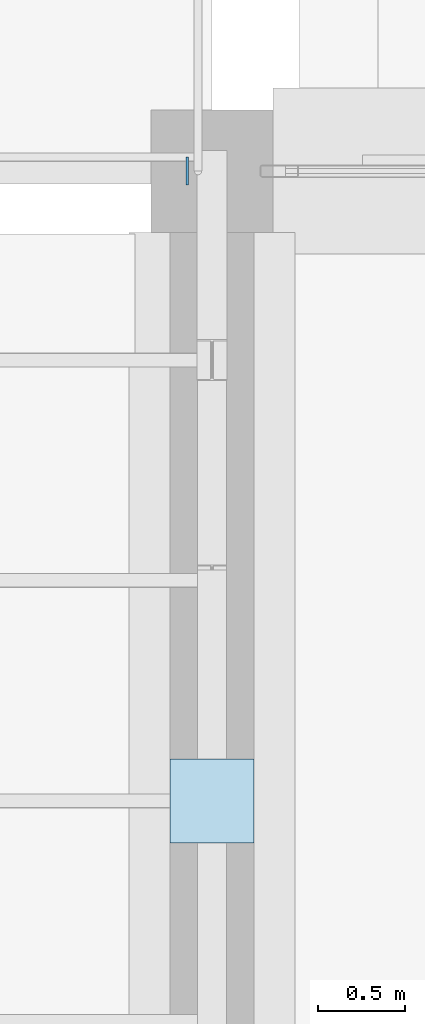
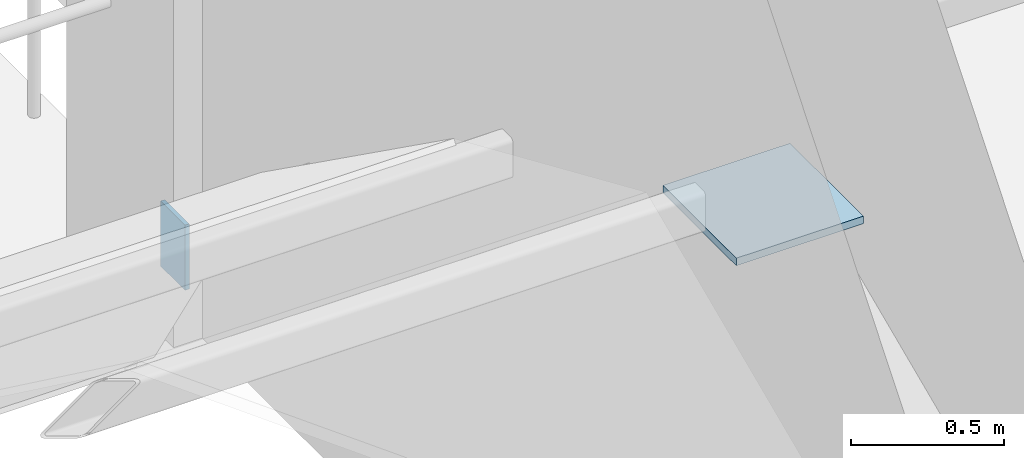
# One storey, part 51 of 100: 2 plates.
"""IFC4 building model written with IfcOpenShell, lengths in metres."""

from ifc_helpers import new_model, si_unit, derived_unit, direction, frame, origin, origin_2d, place, context, subcontext, project, spatial, rectangle, extrude, material, layer, layer_set, type_object, element, save


model = new_model("IFC4")

# Units and contexts
model_context = context("Model", 3, precision=1e-05, world=origin(), true_north=direction((0.0, 1.0)))
body_context = subcontext(model_context, "Body", "Model", "MODEL_VIEW")
ifc_project = project(units=[si_unit("LENGTHUNIT", "METRE"), si_unit("AREAUNIT", "SQUARE_METRE"), si_unit("VOLUMEUNIT", "CUBIC_METRE"), si_unit("PLANEANGLEUNIT", "RADIAN"), si_unit("MASSUNIT", "GRAM", prefix="KILO"), derived_unit("THERMALTRANSMITTANCEUNIT", [(si_unit("POWERUNIT", "WATT"), 1), (si_unit("LENGTHUNIT", "METRE"), -2), (si_unit("THERMODYNAMICTEMPERATUREUNIT", "KELVIN"), -1)])], contexts=[model_context])

# Site, building, storey
site_placement = place(None, origin())
site = spatial("IfcSite", under=ifc_project, at=site_placement, CompositionType="ELEMENT")
building_placement = place(site_placement, origin())
building = spatial("IfcBuilding", under=site, at=building_placement, Name="Veybourne Emporium", CompositionType="ELEMENT")
storey_placement = place(building_placement, frame((0.0, 0.0, 14.39990234375)))
storey = spatial("IfcBuildingStorey", under=building, at=storey_placement, Name="L03", CompositionType="ELEMENT", Elevation=14.39990234375)

# Plates
ifc_material = material(Name="Steel S355", Category="steel")
ifc_layer_1 = layer(ifc_material, 0.030029296875)
ifc_layer_set_1 = layer_set([ifc_layer_1], Name="Steel S355")
plate_type_1 = type_object("IfcPlateType", Name="NodePlate_BP-02", PredefinedType="USERDEFINED", material=ifc_layer_set_1)
plate_1_placement = place(storey_placement, frame((92.39990234375, 18.0, 2.4052734375), z_axis=(0.0, 0.0, 1.0), x_axis=(1.0, 0.0, 0.0)))
element("IfcPlate", 1, at=plate_1_placement, inside=storey, type_object=plate_type_1, Name="Arcade arch ridge plate VB-05", ObjectType="BASE_PLATE", PredefinedType="USERDEFINED", context=body_context, shape_type="SweptSolid", body=[
    extrude(rectangle(XDim=0.47998046875, YDim=0.47998046875, at=origin_2d()), origin(), (0.0, 0.0, 1.0), 0.030029296875),
])
ifc_layer_2 = layer(ifc_material, 0.01611328125)
ifc_layer_set_2 = layer_set([ifc_layer_2], Name="Steel S355")
plate_type_2 = type_object("IfcPlateType", Name="NodePlate_CP-01", PredefinedType="USERDEFINED", material=ifc_layer_set_2)
plate_2_placement = place(storey_placement, frame((92.258056640625, 21.60009765625, -0.0048828125), z_axis=(0.0, 0.0, 1.0), x_axis=(1.0, 0.0, 0.0)))
element("IfcPlate", 2, at=plate_2_placement, inside=storey, type_object=plate_type_2, Name="Welded hollow-section end cap plate CP-01 (VSPR-B4-Y22-E)", ObjectType="CAP_PLATE", PredefinedType="USERDEFINED", context=body_context, shape_type="SweptSolid", body=[
    extrude(rectangle(XDim=0.01611328125, YDim=0.159912109375, at=origin_2d()), origin(), (0.0, 0.0, 1.0), 0.260009765625),
])

save(model, "model.ifc")
